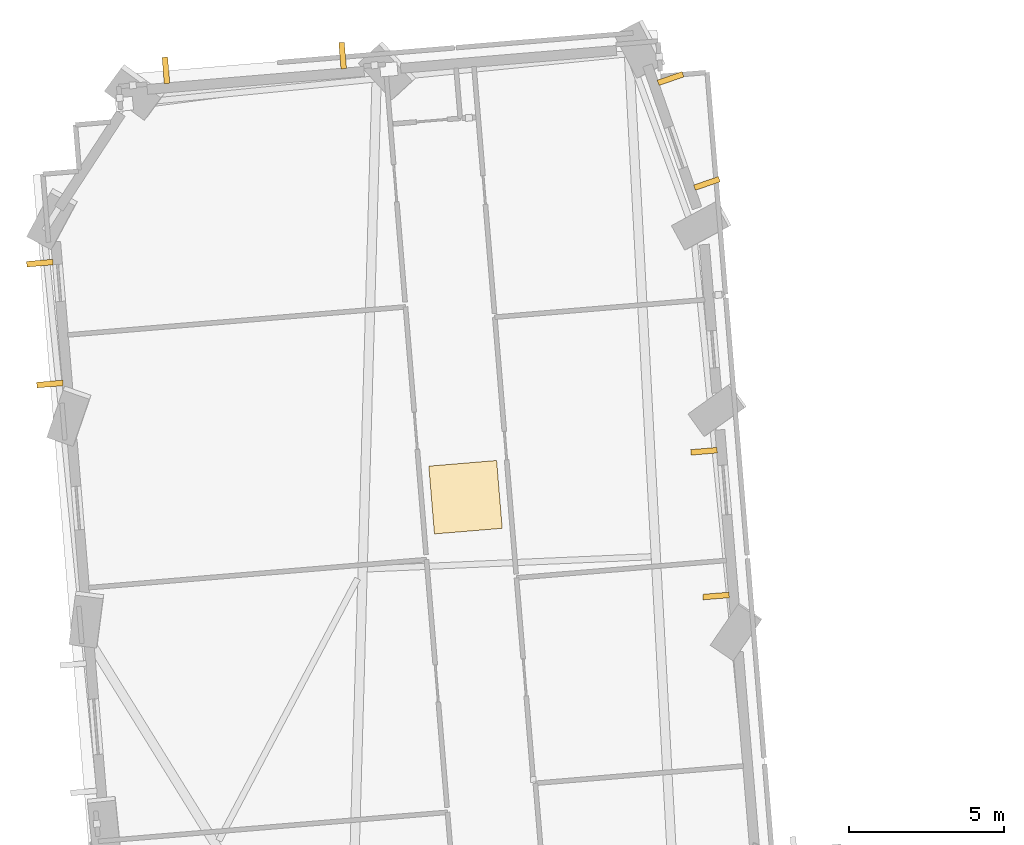
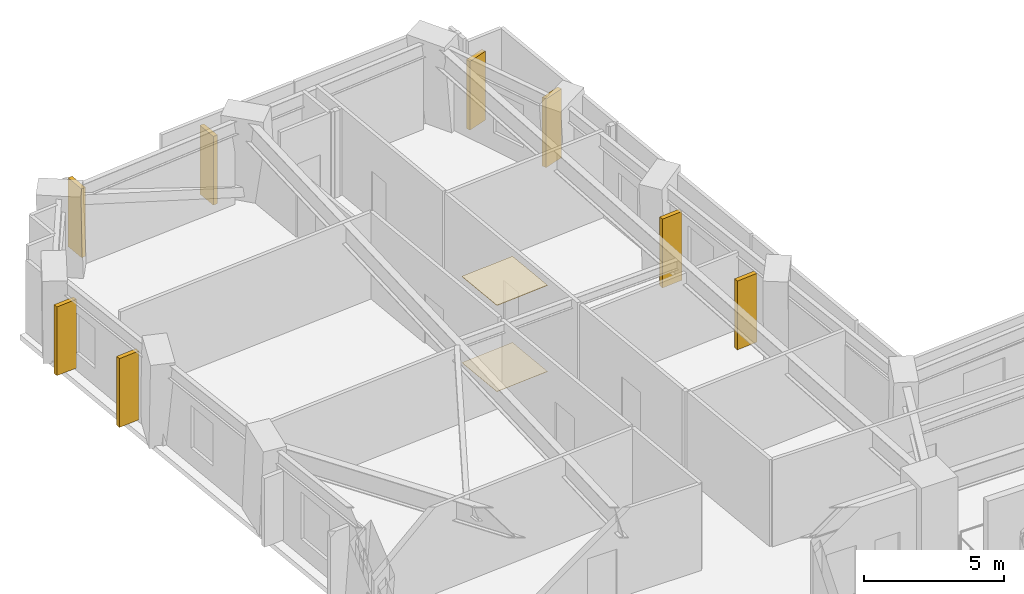
# One storey, part 14 of 14: 8 shading devices, 2 coverings.
"""IFC4 building model written with IfcOpenShell, lengths in metres."""

from ifc_helpers import new_model, si_unit, direction, frame, origin, origin_2d, place, context, subcontext, project, spatial, rectangle, extrude, material, layer, layer_set, type_object, element, save


model = new_model("IFC4")

# Units and contexts
model_context = context("Model", 3, precision=1e-05, world=origin(), true_north=direction((0.0, 1.0)))
body_context = subcontext(model_context, "Body", "Model", "MODEL_VIEW")
ifc_project = project(units=[si_unit("LENGTHUNIT", "METRE"), si_unit("AREAUNIT", "SQUARE_METRE"), si_unit("VOLUMEUNIT", "CUBIC_METRE"), si_unit("PLANEANGLEUNIT", "RADIAN"), si_unit("MASSUNIT", "GRAM", prefix="KILO")], contexts=[model_context])

# Site, building, storey
site_placement = place(None, origin())
site = spatial("IfcSite", under=ifc_project, at=site_placement, CompositionType="ELEMENT")
building_placement = place(site_placement, origin())
building = spatial("IfcBuilding", under=site, at=building_placement, Name="Gaonmaruhae Medical Tower", CompositionType="ELEMENT")
storey_placement = place(building_placement, frame((0.0, 0.0, 43.0)))
storey = spatial("IfcBuildingStorey", under=building, at=storey_placement, Name="L09", CompositionType="ELEMENT", Elevation=43.0)

# Coverings
ifc_material_1 = material(Name="Acoustic mineral ceiling tile", Category="finish")
ifc_layer_1 = layer(ifc_material_1, 0.02490234375)
ifc_layer_set_1 = layer_set([ifc_layer_1], Name="Acoustic mineral ceiling tile")
covering_type_1 = type_object("IfcCoveringType", Name="CLG-01 Antimicrobial Acoustic Mineral Ceiling", PredefinedType="CEILING", material=ifc_layer_set_1)
covering_1_placement = place(storey_placement, frame((17.777587890625, 34.980224609375, 3.755126953125), z_axis=(0.0, 0.0, 1.0), x_axis=(0.996565502498, 0.082808207512, 0.0)))
element("IfcCovering", 1, at=covering_1_placement, inside=storey, type_object=covering_type_1, Name="L09 Clinical Corridor Acoustic Ceiling", PredefinedType="CEILING", context=body_context, shape_type="SweptSolid", body=[
    extrude(rectangle(XDim=2.199951171875, YDim=2.199951171875, at=origin_2d()), origin(), (0.0, 0.0, 1.0), 0.02490234375),
])
ifc_material_2 = material(Name="Seamless clinical vinyl flooring", Category="finish")
ifc_layer_2 = layer(ifc_material_2, 0.014892578125)
ifc_layer_set_2 = layer_set([ifc_layer_2], Name="Seamless clinical vinyl flooring")
covering_type_2 = type_object("IfcCoveringType", Name="FLR-01 Seamless Clinical Antistatic Vinyl Flooring", PredefinedType="FLOORING", material=ifc_layer_set_2)
covering_2_placement = place(storey_placement, frame((17.777587890625, 34.980224609375, 0.00048828125), z_axis=(0.0, 0.0, 1.0), x_axis=(0.996565502498, 0.082808207512, 0.0)))
element("IfcCovering", 2, at=covering_2_placement, inside=storey, type_object=covering_type_2, Name="L09 Clinical Corridor Vinyl Flooring", PredefinedType="FLOORING", context=body_context, shape_type="SweptSolid", body=[
    extrude(rectangle(XDim=2.199951171875, YDim=2.199951171875, at=origin_2d()), origin(), (0.0, 0.0, 1.0), 0.014892578125),
])

# Shading devices
ifc_material_3 = material(Name="Pigmented coral precast concrete C45/55", Category="concrete")
shading_device_type = type_object("IfcShadingDeviceType", Name="SD-FIN1 Tower Vertical Coral Precast Shading Fin", PredefinedType="USERDEFINED", material=ifc_material_3)
for number, where, z_axis, x_axis, name in (
    (3, (25.8798828125, 31.78564453125, 0.08251953125), (0.0, 0.0, 1.0), (-0.082808207512, 0.996565502498, 0.0), "L09 Vertical Coral Precast Shading Fin NE01"),
    (4, (25.4912109375, 36.4658203125, 0.08251953125), (0.0, 0.0, 1.0), (-0.082808207512, 0.996565502498, 0.0), "L09 Vertical Coral Precast Shading Fin NE01B"),
    (5, (24.4072265625, 48.518798828125, 0.08251953125), (0.0, 0.0, 1.0), (0.327729117623, -0.944771731934, 0.0), "L09 Vertical Coral Precast Shading Fin NE03"),
    (6, (25.58349609375, 45.1279296875, 0.08251953125), (0.0, 0.0, 1.0), (0.327729117623, -0.944771731934, 0.0), "L09 Vertical Coral Precast Shading Fin NE03B"),
    (7, (8.08935546875, 48.784912109375, 0.08251953125), (0.0, 0.0, 1.0), (0.996565502498, 0.082808207512, 0.0), "L09 Vertical Coral Precast Shading Fin N02"),
    (8, (13.80419921875, 49.259765625, 0.08251953125), (0.0, 0.0, 1.0), (0.996565502498, 0.082808207512, 0.0), "L09 Vertical Coral Precast Shading Fin N02B"),
    (9, (4.33837890625, 38.640869140625, 0.08251953125), (0.0, 0.0, 1.0), (-0.082808207512, 0.996565502498, 0.0), "L09 Vertical Coral Precast Shading Fin W01"),
    (10, (4.013427734375, 42.55029296875, 0.08251953125), (0.0, 0.0, 1.0), (-0.082808207512, 0.996565502498, 0.0), "L09 Vertical Coral Precast Shading Fin W01B"),
):
    element("IfcShadingDevice", number, at=place(storey_placement, frame(where, z_axis=z_axis, x_axis=x_axis)), inside=storey, type_object=shading_device_type, Name=name, ObjectType="FIN", PredefinedType="USERDEFINED", context=body_context, shape_type="SweptSolid", body=[
        extrude(rectangle(XDim=0.179931640625, YDim=0.85009765625, at=origin_2d()), origin(), (0.0, 0.0, 1.0), 3.0),
    ])

save(model, "model.ifc")
